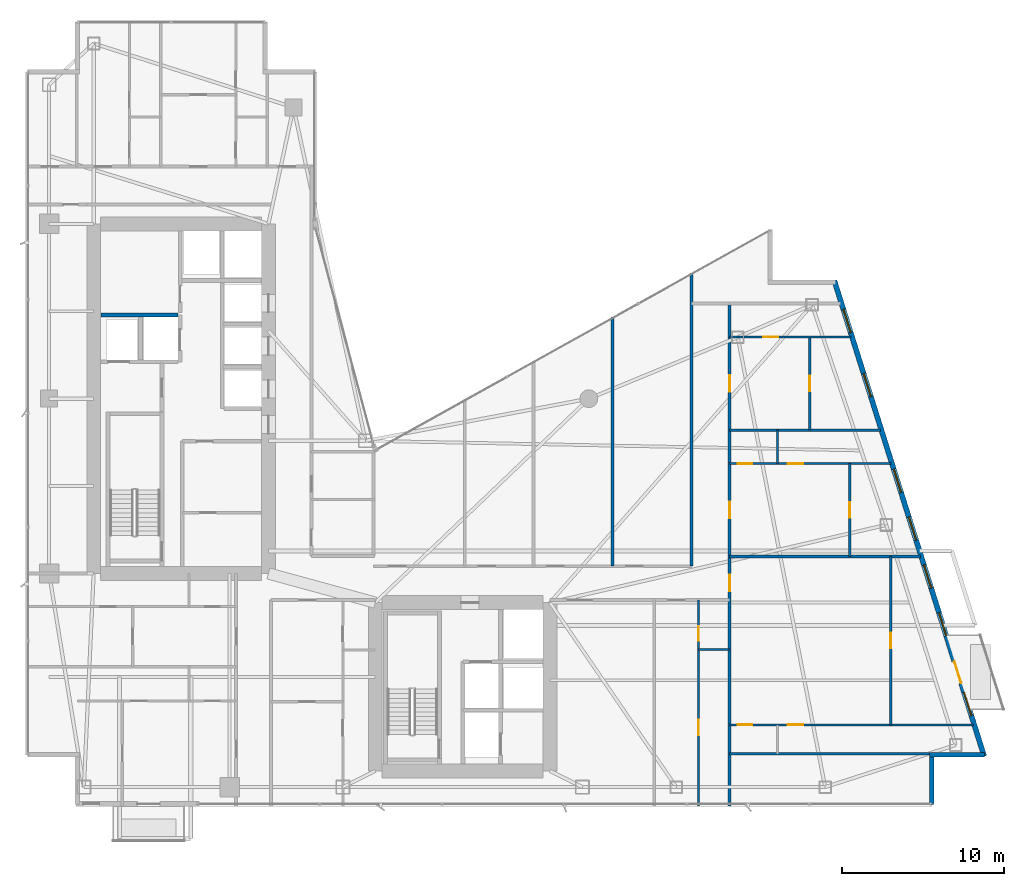
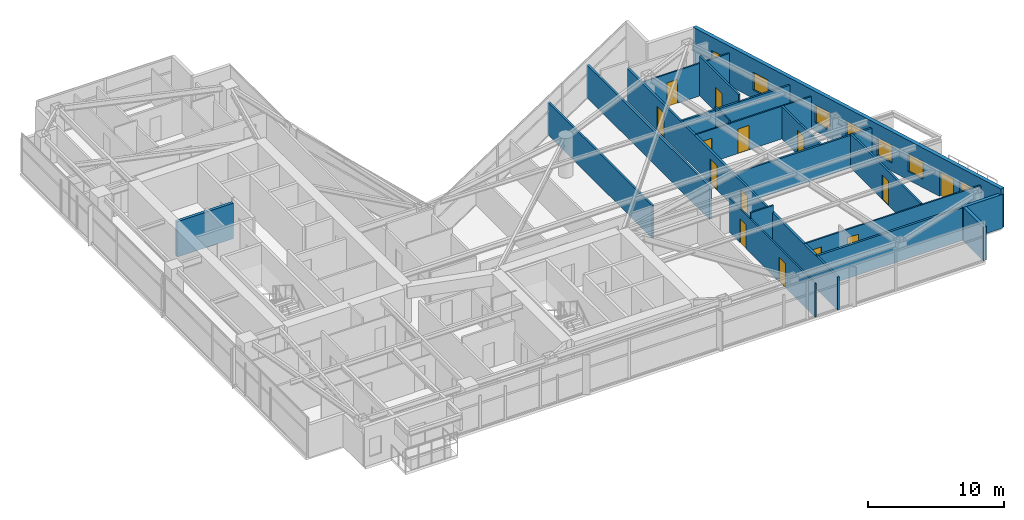
# One storey, part 24 of 29: 19 walls, 14 doors, 7 windows, 21 openings.
"""IFC4 building model written with IfcOpenShell, lengths in metres."""

from ifc_helpers import new_model, si_unit, direction, frame, frame_2d, origin, place, context, subcontext, project, spatial, rectangle, extrude, material, layer, layer_set, type_object, element, fill, save


model = new_model("IFC4")

# Units and contexts
model_context = context("Model", 3, precision=1e-05, world=origin(), true_north=direction((0.0, 1.0)))
body_context = subcontext(model_context, "Body", "Model", "MODEL_VIEW")
ifc_project = project(units=[si_unit("LENGTHUNIT", "METRE"), si_unit("AREAUNIT", "SQUARE_METRE"), si_unit("VOLUMEUNIT", "CUBIC_METRE"), si_unit("PLANEANGLEUNIT", "RADIAN"), si_unit("MASSUNIT", "GRAM", prefix="KILO")], contexts=[model_context])

# Site, building, storey
site_placement = place(None, origin())
site = spatial("IfcSite", under=ifc_project, at=site_placement, CompositionType="ELEMENT")
building_placement = place(site_placement, origin())
building = spatial("IfcBuilding", under=site, at=building_placement, Name="Calvorn Quay Hotel", CompositionType="ELEMENT")
storey_placement = place(building_placement, frame((0.0, 0.0, 148.5)))
storey = spatial("IfcBuildingStorey", under=building, at=storey_placement, Name="L36", CompositionType="ELEMENT", Elevation=148.5)

# Walls
ifc_material_1 = material(Name="Acoustic Fireboard Steel-Stud Partition", Category="steel")
ifc_layer_1 = layer(ifc_material_1, 0.179931640625)
ifc_layer_set_1 = layer_set([ifc_layer_1], Name="WL-CORR-FIRE-180")
wall_type_1 = type_object("IfcWallType", Name="WL-CORR-FIRE-180", PredefinedType="PARTITIONING", material=ifc_layer_set_1)
wall_1_placement = place(storey_placement, frame((41.14990234375, 17.25, 0.0), z_axis=(0.0, 0.0, 1.0), x_axis=(0.0, 1.0, 0.0)))
element("IfcWall", 1, at=wall_1_placement, inside=storey, type_object=wall_type_1, Name="Partition Wall L36-WL-NE-END-E", PredefinedType="PARTITIONING", context=body_context, shape_type="SweptSolid", body=[
    extrude(rectangle(XDim=18.1298828125, YDim=0.179931640625, at=frame_2d((9.06494140625, 0.0))), origin(), (0.0, 0.0, 1.0), 2.93994140625),
])
wall_2_placement = place(storey_placement, frame((43.5, 5.659912109375, 0.0), z_axis=(0.0, 0.0, 1.0), x_axis=(1.0, 0.0, 0.0)))
element("IfcWall", 2, at=wall_2_placement, inside=storey, type_object=wall_type_1, Name="Partition Wall L36-WL-TIP-S", PredefinedType="PARTITIONING", context=body_context, shape_type="SweptSolid", body=[
    extrude(rectangle(XDim=12.5, YDim=0.179931640625, at=frame_2d((6.25, 0.0))), origin(), (0.0, 0.0, 1.0), 2.93994140625),
])

# Wall, openings, doors
wall_3_placement = place(storey_placement, frame((43.5, 2.43994140625, 0.0), z_axis=(0.0, 0.0, 1.0), x_axis=(0.0, 1.0, 0.0)))
wall_3 = element("IfcWall", 3, at=wall_3_placement, inside=storey, type_object=wall_type_1, Name="Partition Wall L36-WL-CORR-TIP-E", PredefinedType="PARTITIONING", context=body_context, shape_type="SweptSolid", body=[
    extrude(rectangle(XDim=31.0400390625, YDim=0.179931640625, at=frame_2d((15.52001953125, 0.0))), origin(), (0.0, 0.0, 1.0), 2.93994140625),
])
opening_1_placement = place(wall_3_placement, frame((13.260009765625, 0.0, 0.0)))
opening_1 = element("IfcOpeningElement", 4, at=opening_1_placement, cuts=wall_3, Name="Opening D-L36-U07", PredefinedType="OPENING", context=body_context, shape_type="SweptSolid", body=[
    extrude(rectangle(XDim=1.02001953125, YDim=2.199951171875, at=frame_2d((0.510009765625, 1.10009765625))), frame((0.0, 0.099853515625, 0.0), z_axis=(0.0, -1.0, 0.0), x_axis=(1.0, 0.0, 0.0)), (0.0, 0.0, 1.0), 0.199951171875),
])
opening_2_placement = place(wall_3_placement, frame((17.77001953125, 0.0, 0.0)))
opening_2 = element("IfcOpeningElement", 5, at=opening_2_placement, cuts=wall_3, Name="Opening D-L36-U08", PredefinedType="OPENING", context=body_context, shape_type="SweptSolid", body=[
    extrude(rectangle(XDim=1.02001953125, YDim=2.199951171875, at=frame_2d((0.510009765625, 1.10009765625))), frame((0.0, 0.099853515625, 0.0), z_axis=(0.0, -1.0, 0.0), x_axis=(1.0, 0.0, 0.0)), (0.0, 0.0, 1.0), 0.199951171875),
])
opening_3_placement = place(wall_3_placement, frame((25.580078125, 0.0, 0.0)))
opening_3 = element("IfcOpeningElement", 6, at=opening_3_placement, cuts=wall_3, Name="Opening D-L36-U09", PredefinedType="OPENING", context=body_context, shape_type="SweptSolid", body=[
    extrude(rectangle(XDim=1.02001953125, YDim=2.199951171875, at=frame_2d((0.510009765625, 1.10009765625))), frame((0.0, 0.099853515625, 0.0), z_axis=(0.0, -1.0, 0.0), x_axis=(1.0, 0.0, 0.0)), (0.0, 0.0, 1.0), 0.199951171875),
])
ifc_material_2 = material(Name="Solid-Core Walnut Veneer Hotel Fire Door")
door_type_1 = type_object("IfcDoorType", Name="DR-GUEST-ENTRY-1020", OperationType="NOTDEFINED", PredefinedType="DOOR", material=ifc_material_2)
door_1_placement = place(opening_1_placement, origin())
door_1 = element("IfcDoor", 7, at=door_1_placement, inside=storey, type_object=door_type_1, Name="Terrace Suite Door U07 (L36)", OperationType="SINGLE_SWING_LEFT", OverallHeight=2.199951171875, OverallWidth=1.02001953125, PredefinedType="DOOR", context=body_context, shape_type="SweptSolid", body=[
    extrude(rectangle(XDim=1.02001953125, YDim=2.199951171875, at=frame_2d((0.510009765625, 1.10009765625))), frame((0.0, 0.02490234375, 0.0), z_axis=(0.0, -1.0, 0.0), x_axis=(1.0, 0.0, 0.0)), (0.0, 0.0, 1.0), 0.050048828125),
])
fill(opening_1, door_1)
door_2_placement = place(opening_2_placement, origin())
door_2 = element("IfcDoor", 8, at=door_2_placement, inside=storey, type_object=door_type_1, Name="Mid-East Suite Door U08 (L36)", OperationType="SINGLE_SWING_RIGHT", OverallHeight=2.199951171875, OverallWidth=1.02001953125, PredefinedType="DOOR", context=body_context, shape_type="SweptSolid", body=[
    extrude(rectangle(XDim=1.02001953125, YDim=2.199951171875, at=frame_2d((0.510009765625, 1.10009765625))), frame((0.0, 0.02490234375, 0.0), z_axis=(0.0, -1.0, 0.0), x_axis=(1.0, 0.0, 0.0)), (0.0, 0.0, 1.0), 0.050048828125),
])
fill(opening_2, door_2)
door_3_placement = place(opening_3_placement, origin())
door_3 = element("IfcDoor", 9, at=door_3_placement, inside=storey, type_object=door_type_1, Name="Horizon Suite Door U09 (L36)", OperationType="SINGLE_SWING_LEFT", OverallHeight=2.199951171875, OverallWidth=1.02001953125, PredefinedType="DOOR", context=body_context, shape_type="SweptSolid", body=[
    extrude(rectangle(XDim=1.02001953125, YDim=2.199951171875, at=frame_2d((0.510009765625, 1.10009765625))), frame((0.0, 0.02490234375, 0.0), z_axis=(0.0, -1.0, 0.0), x_axis=(1.0, 0.0, 0.0)), (0.0, 0.0, 1.0), 0.050048828125),
])
fill(opening_3, door_3)

# Wall
ifc_material_3 = material(Name="Moisture-Resistant Tile-Backed Partition")
ifc_layer_2 = layer(ifc_material_3, 0.125)
ifc_layer_set_2 = layer_set([ifc_layer_2], Name="WL-ENSUITE-125")
wall_type_2 = type_object("IfcWallType", Name="WL-ENSUITE-125", PredefinedType="PARTITIONING", material=ifc_layer_set_2)
wall_4_placement = place(storey_placement, frame((41.570068359375, 12.10009765625, 0.0), z_axis=(0.0, 0.0, 1.0), x_axis=(1.0, 0.0, 0.0)))
element("IfcWall", 10, at=wall_4_placement, inside=storey, type_object=wall_type_2, Name="Partition Wall L36-WL-U06-BDV", PredefinedType="PARTITIONING", context=body_context, shape_type="SweptSolid", body=[
    extrude(rectangle(XDim=1.929931640625, YDim=0.125, at=frame_2d((0.96484375, 0.0))), origin(), (0.0, 0.0, 1.0), 3.56005859375),
])

# Wall, openings, doors
wall_5_placement = place(storey_placement, frame((41.570068359375, 2.43994140625, 0.0), z_axis=(0.0, 0.0, 1.0), x_axis=(0.0, 1.0, 0.0)))
wall_5 = element("IfcWall", 11, at=wall_5_placement, inside=storey, type_object=wall_type_2, Name="Partition Wall L36-WL-U06-BV", PredefinedType="PARTITIONING", context=body_context, shape_type="SweptSolid", body=[
    extrude(rectangle(XDim=12.7099609375, YDim=0.125, at=frame_2d((6.35498046875, 0.0))), origin(), (0.0, 0.0, 1.0), 3.0400390625),
])
opening_4_placement = place(wall_5_placement, frame((4.35009765625, 0.0, 0.0)))
opening_4 = element("IfcOpeningElement", 12, at=opening_4_placement, cuts=wall_5, Name="Opening D-L36-S06", PredefinedType="OPENING", context=body_context, shape_type="SweptSolid", body=[
    extrude(rectangle(XDim=0.9599609375, YDim=2.199951171875, at=frame_2d((0.47998046875, 1.10009765625))), frame((0.0, 0.072509765625, 0.0), z_axis=(0.0, -1.0, 0.0), x_axis=(1.0, 0.0, 0.0)), (0.0, 0.0, 1.0), 0.14501953125),
])
opening_5_placement = place(wall_5_placement, frame((10.2099609375, 0.0, 0.0)))
opening_5 = element("IfcOpeningElement", 13, at=opening_5_placement, cuts=wall_5, Name="Opening D-L36-E06", PredefinedType="OPENING", context=body_context, shape_type="SweptSolid", body=[
    extrude(rectangle(XDim=0.89990234375, YDim=2.14990234375, at=frame_2d((0.449951171875, 1.074951171875))), frame((0.0, 0.072509765625, 0.0), z_axis=(0.0, -1.0, 0.0), x_axis=(1.0, 0.0, 0.0)), (0.0, 0.0, 1.0), 0.14501953125),
])
ifc_material_4 = material(Name="Moisture-Sealed Timber En-Suite Door", Category="wood")
door_type_2 = type_object("IfcDoorType", Name="DR-ENSUITE-900", OperationType="NOTDEFINED", PredefinedType="DOOR", material=ifc_material_4)
door_4_placement = place(opening_5_placement, origin())
door_4 = element("IfcDoor", 14, at=door_4_placement, inside=storey, type_object=door_type_2, Name="En-Suite Door 06", OperationType="SINGLE_SWING_RIGHT", OverallHeight=2.14990234375, OverallWidth=0.89990234375, PredefinedType="DOOR", context=body_context, shape_type="SweptSolid", body=[
    extrude(rectangle(XDim=0.89990234375, YDim=2.14990234375, at=frame_2d((0.449951171875, 1.074951171875))), frame((0.0, 0.02490234375, 0.0), z_axis=(0.0, -1.0, 0.0), x_axis=(1.0, 0.0, 0.0)), (0.0, 0.0, 1.0), 0.050048828125),
])
fill(opening_5, door_4)
ifc_material_5 = material(Name="Solid Timber Internal Suite Door", Category="wood")
door_type_3 = type_object("IfcDoorType", Name="DR-SUITE-INT-960", OperationType="NOTDEFINED", PredefinedType="DOOR", material=ifc_material_5)
door_5_placement = place(opening_4_placement, origin())
door_5 = element("IfcDoor", 15, at=door_5_placement, inside=storey, type_object=door_type_3, Name="Private Executive Study Door 06", OperationType="SINGLE_SWING_LEFT", OverallHeight=2.199951171875, OverallWidth=0.9599609375, PredefinedType="DOOR", context=body_context, shape_type="SweptSolid", body=[
    extrude(rectangle(XDim=0.9599609375, YDim=2.199951171875, at=frame_2d((0.47998046875, 1.10009765625))), frame((0.0, 0.02490234375, 0.0), z_axis=(0.0, -1.0, 0.0), x_axis=(1.0, 0.0, 0.0)), (0.0, 0.0, 1.0), 0.050048828125),
])
fill(opening_4, door_5)

wall_6_placement = place(storey_placement, frame((43.5, 7.449951171875, 0.0), z_axis=(0.0, 0.0, 1.0), x_axis=(1.0, 0.0, 0.0)))
wall_6 = element("IfcWall", 16, at=wall_6_placement, inside=storey, type_object=wall_type_2, Name="Partition Wall L36-WL-U07-BH", PredefinedType="PARTITIONING", context=body_context, shape_type="SweptSolid", body=[
    extrude(rectangle(XDim=15.06005859375, YDim=0.125, at=frame_2d((7.530029296875, 0.0))), origin(), (0.0, 0.0, 1.0), 2.93994140625),
])
opening_6_placement = place(wall_6_placement, frame((0.5, 0.0, 0.0)))
opening_6 = element("IfcOpeningElement", 17, at=opening_6_placement, cuts=wall_6, Name="Opening D-L36-E07", PredefinedType="OPENING", context=body_context, shape_type="SweptSolid", body=[
    extrude(rectangle(XDim=0.89990234375, YDim=2.14990234375, at=frame_2d((0.449951171875, 1.074951171875))), frame((0.0, 0.072509765625, 0.0), z_axis=(0.0, -1.0, 0.0), x_axis=(1.0, 0.0, 0.0)), (0.0, 0.0, 1.0), 0.14501953125),
])
opening_7_placement = place(wall_6_placement, frame((3.60009765625, 0.0, 0.0)))
opening_7 = element("IfcOpeningElement", 18, at=opening_7_placement, cuts=wall_6, Name="Opening D-L36-S07", PredefinedType="OPENING", context=body_context, shape_type="SweptSolid", body=[
    extrude(rectangle(XDim=0.9599609375, YDim=2.199951171875, at=frame_2d((0.47998046875, 1.10009765625))), frame((0.0, 0.072509765625, 0.0), z_axis=(0.0, -1.0, 0.0), x_axis=(1.0, 0.0, 0.0)), (0.0, 0.0, 1.0), 0.14501953125),
])
door_6_placement = place(opening_6_placement, origin())
door_6 = element("IfcDoor", 19, at=door_6_placement, inside=storey, type_object=door_type_2, Name="En-Suite Door 07", OperationType="SINGLE_SWING_LEFT", OverallHeight=2.14990234375, OverallWidth=0.89990234375, PredefinedType="DOOR", context=body_context, shape_type="SweptSolid", body=[
    extrude(rectangle(XDim=0.89990234375, YDim=2.14990234375, at=frame_2d((0.449951171875, 1.074951171875))), frame((0.0, 0.02490234375, 0.0), z_axis=(0.0, -1.0, 0.0), x_axis=(1.0, 0.0, 0.0)), (0.0, 0.0, 1.0), 0.050048828125),
])
fill(opening_6, door_6)
door_7_placement = place(opening_7_placement, origin())
door_7 = element("IfcDoor", 20, at=door_7_placement, inside=storey, type_object=door_type_3, Name="Private Executive Study Door 07", OperationType="SINGLE_SWING_RIGHT", OverallHeight=2.199951171875, OverallWidth=0.9599609375, PredefinedType="DOOR", context=body_context, shape_type="SweptSolid", body=[
    extrude(rectangle(XDim=0.9599609375, YDim=2.199951171875, at=frame_2d((0.47998046875, 1.10009765625))), frame((0.0, 0.02490234375, 0.0), z_axis=(0.0, -1.0, 0.0), x_axis=(1.0, 0.0, 0.0)), (0.0, 0.0, 1.0), 0.050048828125),
])
fill(opening_7, door_7)

# Wall
wall_7_placement = place(storey_placement, frame((46.449951171875, 23.590087890625, 0.0), z_axis=(0.0, 0.0, 1.0), x_axis=(0.0, 1.0, 0.0)))
element("IfcWall", 21, at=wall_7_placement, inside=storey, type_object=wall_type_2, Name="Partition Wall L36-WL-U08-BDV", PredefinedType="PARTITIONING", context=body_context, shape_type="SweptSolid", body=[
    extrude(rectangle(XDim=2.06982421875, YDim=0.125, at=frame_2d((1.034912109375, 0.0))), origin(), (0.0, 0.0, 1.0), 3.18994140625),
])

# Wall, openings, doors
wall_8_placement = place(storey_placement, frame((43.5, 23.590087890625, 0.0), z_axis=(0.0, 0.0, 1.0), x_axis=(1.0, 0.0, 0.0)))
wall_8 = element("IfcWall", 22, at=wall_8_placement, inside=storey, type_object=wall_type_2, Name="Partition Wall L36-WL-U08-BH", PredefinedType="PARTITIONING", context=body_context, shape_type="SweptSolid", body=[
    extrude(rectangle(XDim=9.969970703125, YDim=0.125, at=frame_2d((4.98486328125, 0.0))), origin(), (0.0, 0.0, 1.0), 2.93994140625),
])
opening_8_placement = place(wall_8_placement, frame((0.5, 0.0, 0.0)))
opening_8 = element("IfcOpeningElement", 23, at=opening_8_placement, cuts=wall_8, Name="Opening D-L36-E08", PredefinedType="OPENING", context=body_context, shape_type="SweptSolid", body=[
    extrude(rectangle(XDim=0.89990234375, YDim=2.14990234375, at=frame_2d((0.449951171875, 1.074951171875))), frame((0.0, 0.072509765625, 0.0), z_axis=(0.0, -1.0, 0.0), x_axis=(1.0, 0.0, 0.0)), (0.0, 0.0, 1.0), 0.14501953125),
])
opening_9_placement = place(wall_8_placement, frame((3.60009765625, 0.0, 0.0)))
opening_9 = element("IfcOpeningElement", 24, at=opening_9_placement, cuts=wall_8, Name="Opening D-L36-S08", PredefinedType="OPENING", context=body_context, shape_type="SweptSolid", body=[
    extrude(rectangle(XDim=0.9599609375, YDim=2.199951171875, at=frame_2d((0.47998046875, 1.10009765625))), frame((0.0, 0.072509765625, 0.0), z_axis=(0.0, -1.0, 0.0), x_axis=(1.0, 0.0, 0.0)), (0.0, 0.0, 1.0), 0.14501953125),
])
door_8_placement = place(opening_8_placement, origin())
door_8 = element("IfcDoor", 25, at=door_8_placement, inside=storey, type_object=door_type_2, Name="En-Suite Door 08", OperationType="SINGLE_SWING_LEFT", OverallHeight=2.14990234375, OverallWidth=0.89990234375, PredefinedType="DOOR", context=body_context, shape_type="SweptSolid", body=[
    extrude(rectangle(XDim=0.89990234375, YDim=2.14990234375, at=frame_2d((0.449951171875, 1.074951171875))), frame((0.0, 0.02490234375, 0.0), z_axis=(0.0, -1.0, 0.0), x_axis=(1.0, 0.0, 0.0)), (0.0, 0.0, 1.0), 0.050048828125),
])
fill(opening_8, door_8)
door_9_placement = place(opening_9_placement, origin())
door_9 = element("IfcDoor", 26, at=door_9_placement, inside=storey, type_object=door_type_3, Name="Private Executive Study Door 08", OperationType="SINGLE_SWING_RIGHT", OverallHeight=2.199951171875, OverallWidth=0.9599609375, PredefinedType="DOOR", context=body_context, shape_type="SweptSolid", body=[
    extrude(rectangle(XDim=0.9599609375, YDim=2.199951171875, at=frame_2d((0.47998046875, 1.10009765625))), frame((0.0, 0.02490234375, 0.0), z_axis=(0.0, -1.0, 0.0), x_axis=(1.0, 0.0, 0.0)), (0.0, 0.0, 1.0), 0.050048828125),
])
fill(opening_9, door_9)

# Wall, opening, door
wall_9_placement = place(storey_placement, frame((43.5, 31.409912109375, 0.0), z_axis=(0.0, 0.0, 1.0), x_axis=(1.0, 0.0, 0.0)))
wall_9 = element("IfcWall", 27, at=wall_9_placement, inside=storey, type_object=wall_type_2, Name="Partition Wall L36-WL-U09-BH", PredefinedType="PARTITIONING", context=body_context, shape_type="SweptSolid", body=[
    extrude(rectangle(XDim=7.510009765625, YDim=0.125, at=frame_2d((3.7548828125, 0.0))), origin(), (0.0, 0.0, 1.0), 2.93994140625),
])
opening_10_placement = place(wall_9_placement, frame((2.090087890625, 0.0, 0.0)))
opening_10 = element("IfcOpeningElement", 28, at=opening_10_placement, cuts=wall_9, Name="Opening D-L36-E09", PredefinedType="OPENING", context=body_context, shape_type="SweptSolid", body=[
    extrude(rectangle(XDim=0.89990234375, YDim=2.14990234375, at=frame_2d((0.449951171875, 1.074951171875))), frame((0.0, 0.072509765625, 0.0), z_axis=(0.0, -1.0, 0.0), x_axis=(1.0, 0.0, 0.0)), (0.0, 0.0, 1.0), 0.14501953125),
])
door_10_placement = place(opening_10_placement, origin())
door_10 = element("IfcDoor", 29, at=door_10_placement, inside=storey, type_object=door_type_2, Name="En-Suite Door 09", OperationType="SINGLE_SWING_LEFT", OverallHeight=2.14990234375, OverallWidth=0.89990234375, PredefinedType="DOOR", context=body_context, shape_type="SweptSolid", body=[
    extrude(rectangle(XDim=0.89990234375, YDim=2.14990234375, at=frame_2d((0.449951171875, 1.074951171875))), frame((0.0, 0.02490234375, 0.0), z_axis=(0.0, -1.0, 0.0), x_axis=(1.0, 0.0, 0.0)), (0.0, 0.0, 1.0), 0.050048828125),
])
fill(opening_10, door_10)

# Walls
ifc_material_6 = material(Name="Concrete C40", Category="concrete")
ifc_layer_3 = layer(ifc_material_6, 0.320068359375)
ifc_layer_set_3 = layer_set([ifc_layer_3], Name="WL-EXT-SPANDREL-320")
wall_type_3 = type_object("IfcWallType", Name="WL-EXT-SPANDREL-320", PredefinedType="SOLIDWALL", material=ifc_layer_set_3)
wall_10_placement = place(storey_placement, frame((56.0, 2.52001953125, 0.0), z_axis=(0.0, 0.0, 1.0), x_axis=(0.0, 1.0, 0.0)))
element("IfcWall", 30, at=wall_10_placement, inside=storey, type_object=wall_type_3, Name="Notched Corner Spandrel L36-SE1", PredefinedType="SOLIDWALL", context=body_context, shape_type="SweptSolid", body=[
    extrude(rectangle(XDim=2.93994140625, YDim=0.280029296875, at=frame_2d((1.469970703125, 0.0))), origin(), (0.0, 0.0, 1.0), 3.0400390625),
])
wall_11_placement = place(storey_placement, frame((55.860107421875, 5.60009765625, 0.0), z_axis=(0.0, 0.0, 1.0), x_axis=(1.0, 0.0, 0.0)))
element("IfcWall", 31, at=wall_11_placement, inside=storey, type_object=wall_type_3, Name="Notched Corner Spandrel L36-SE2", PredefinedType="SOLIDWALL", context=body_context, shape_type="SweptSolid", body=[
    extrude(rectangle(XDim=3.3798828125, YDim=0.280029296875, at=frame_2d((1.68994140625, 0.0))), origin(), (0.0, 0.0, 1.0), 3.0400390625),
])

# Wall, openings, door, windows
wall_12_placement = place(storey_placement, frame((59.22998046875, 5.5048828125, 0.0), z_axis=(0.0, 0.0, 1.0), x_axis=(-0.300509063924, 0.953778958931, 0.0)))
wall_12 = element("IfcWall", 32, at=wall_12_placement, inside=storey, type_object=wall_type_3, Name="East Stepped Waterfront Exterior Wall (L36)", PredefinedType="SOLIDWALL", context=body_context, shape_type="SweptSolid", body=[
    extrude(rectangle(XDim=30.814453125, YDim=0.320068359375, at=frame_2d((15.4072265625, 0.0))), origin(), (0.0, 0.0, 1.0), 3.56005859375),
])
opening_11_placement = place(wall_12_placement, frame((4.7470703125, 0.0, 0.0)))
opening_11 = element("IfcOpeningElement", 33, at=opening_11_placement, cuts=wall_12, Name="Opening DB-L36-1", PredefinedType="OPENING", context=body_context, shape_type="SweptSolid", body=[
    extrude(rectangle(XDim=1.39990234375, YDim=2.25, at=frame_2d((0.699951171875, 1.125))), frame((0.0, 0.169921875, 0.0), z_axis=(0.0, -1.0, 0.0), x_axis=(1.0, 0.0, 0.0)), (0.0, 0.0, 1.0), 0.340087890625),
])
opening_12_placement = place(wall_12_placement, frame((2.64990234375, 0.0, 0.75)))
opening_12 = element("IfcOpeningElement", 34, at=opening_12_placement, cuts=wall_12, Name="Opening WG-L36-E1", PredefinedType="OPENING", context=body_context, shape_type="SweptSolid", body=[
    extrude(rectangle(XDim=1.5, YDim=1.60009765625, at=frame_2d((0.75, 0.800048828125))), frame((0.0, 0.169921875, 0.0), z_axis=(0.0, -1.0, 0.0), x_axis=(1.0, 0.0, 0.0)), (0.0, 0.0, 1.0), 0.340087890625),
])
opening_13_placement = place(wall_12_placement, frame((7.800048828125, 0.0, 0.75)))
opening_13 = element("IfcOpeningElement", 35, at=opening_13_placement, cuts=wall_12, Name="Opening WG-L36-E2", PredefinedType="OPENING", context=body_context, shape_type="SweptSolid", body=[
    extrude(rectangle(XDim=1.5, YDim=1.60009765625, at=frame_2d((0.75, 0.800048828125))), frame((0.0, 0.169921875, 0.0), z_axis=(0.0, -1.0, 0.0), x_axis=(1.0, 0.0, 0.0)), (0.0, 0.0, 1.0), 0.340087890625),
])
opening_14_placement = place(wall_12_placement, frame((10.89990234375, 0.0, 0.75)))
opening_14 = element("IfcOpeningElement", 36, at=opening_14_placement, cuts=wall_12, Name="Opening WG-L36-E3", PredefinedType="OPENING", context=body_context, shape_type="SweptSolid", body=[
    extrude(rectangle(XDim=1.5, YDim=1.60009765625, at=frame_2d((0.75, 0.800048828125))), frame((0.0, 0.169921875, 0.0), z_axis=(0.0, -1.0, 0.0), x_axis=(1.0, 0.0, 0.0)), (0.0, 0.0, 1.0), 0.340087890625),
])
opening_15_placement = place(wall_12_placement, frame((14.0, 0.0, 0.75)))
opening_15 = element("IfcOpeningElement", 37, at=opening_15_placement, cuts=wall_12, Name="Opening WG-L36-E4", PredefinedType="OPENING", context=body_context, shape_type="SweptSolid", body=[
    extrude(rectangle(XDim=1.5, YDim=1.60009765625, at=frame_2d((0.75, 0.800048828125))), frame((0.0, 0.169921875, 0.0), z_axis=(0.0, -1.0, 0.0), x_axis=(1.0, 0.0, 0.0)), (0.0, 0.0, 1.0), 0.340087890625),
])
opening_16_placement = place(wall_12_placement, frame((17.10009765625, 0.0, 0.75)))
opening_16 = element("IfcOpeningElement", 38, at=opening_16_placement, cuts=wall_12, Name="Opening WG-L36-E5", PredefinedType="OPENING", context=body_context, shape_type="SweptSolid", body=[
    extrude(rectangle(XDim=1.5, YDim=1.60009765625, at=frame_2d((0.75, 0.800048828125))), frame((0.0, 0.169921875, 0.0), z_axis=(0.0, -1.0, 0.0), x_axis=(1.0, 0.0, 0.0)), (0.0, 0.0, 1.0), 0.340087890625),
])
opening_17_placement = place(wall_12_placement, frame((23.300048828125, 0.0, 0.75)))
opening_17 = element("IfcOpeningElement", 39, at=opening_17_placement, cuts=wall_12, Name="Opening WG-L36-E6", PredefinedType="OPENING", context=body_context, shape_type="SweptSolid", body=[
    extrude(rectangle(XDim=1.5, YDim=1.60009765625, at=frame_2d((0.75, 0.800048828125))), frame((0.0, 0.169921875, 0.0), z_axis=(0.0, -1.0, 0.0), x_axis=(1.0, 0.0, 0.0)), (0.0, 0.0, 1.0), 0.340087890625),
])
opening_18_placement = place(wall_12_placement, frame((27.449951171875, 0.0, 0.75)))
opening_18 = element("IfcOpeningElement", 40, at=opening_18_placement, cuts=wall_12, Name="Opening WG-L36-E7", PredefinedType="OPENING", context=body_context, shape_type="SweptSolid", body=[
    extrude(rectangle(XDim=1.5, YDim=1.60009765625, at=frame_2d((0.75, 0.800048828125))), frame((0.0, 0.169921875, 0.0), z_axis=(0.0, -1.0, 0.0), x_axis=(1.0, 0.0, 0.0)), (0.0, 0.0, 1.0), 0.340087890625),
])
ifc_material_7 = material(Name="Typhoon-Rated Low-E Aluminium Terrace Door", Category="aluminium")
door_type_4 = type_object("IfcDoorType", Name="DR-BALCONY-GLZ-1400", OperationType="NOTDEFINED", PredefinedType="DOOR", material=ifc_material_7)
door_11_placement = place(opening_11_placement, origin())
door_11 = element("IfcDoor", 41, at=door_11_placement, inside=storey, type_object=door_type_4, Name="Tree Balcony Terrace Door L36-BALC-E", OperationType="SINGLE_SWING_LEFT", OverallHeight=2.25, OverallWidth=1.39990234375, PredefinedType="DOOR", context=body_context, shape_type="SweptSolid", body=[
    extrude(rectangle(XDim=1.39990234375, YDim=2.25, at=frame_2d((0.699951171875, 1.125))), frame((0.0, 0.02490234375, 0.0), z_axis=(0.0, -1.0, 0.0), x_axis=(1.0, 0.0, 0.0)), (0.0, 0.0, 1.0), 0.050048828125),
])
fill(opening_11, door_11)
ifc_material_8 = material(Name="Self-Closing Class B Fire Window")
window_type = type_object("IfcWindowType", Name="WIN-REFUGE-1500x1600", PartitioningType="SINGLE_PANEL", PredefinedType="WINDOW", material=ifc_material_8)
window_1_placement = place(opening_12_placement, origin())
window_1 = element("IfcWindow", 42, at=window_1_placement, inside=storey, type_object=window_type, Name="East Facade Window L36-E1", OverallHeight=1.60009765625, OverallWidth=1.5, PartitioningType="SINGLE_PANEL", PredefinedType="WINDOW", context=body_context, shape_type="SweptSolid", body=[
    extrude(rectangle(XDim=1.5, YDim=1.60009765625, at=frame_2d((0.75, 0.800048828125))), frame((0.0, 0.030029296875, 0.0), z_axis=(0.0, -1.0, 0.0), x_axis=(1.0, 0.0, 0.0)), (0.0, 0.0, 1.0), 0.06005859375),
])
fill(opening_12, window_1)
window_2_placement = place(opening_13_placement, origin())
window_2 = element("IfcWindow", 43, at=window_2_placement, inside=storey, type_object=window_type, Name="East Facade Window L36-E2", OverallHeight=1.60009765625, OverallWidth=1.5, PartitioningType="SINGLE_PANEL", PredefinedType="WINDOW", context=body_context, shape_type="SweptSolid", body=[
    extrude(rectangle(XDim=1.5, YDim=1.60009765625, at=frame_2d((0.75, 0.800048828125))), frame((0.0, 0.030029296875, 0.0), z_axis=(0.0, -1.0, 0.0), x_axis=(1.0, 0.0, 0.0)), (0.0, 0.0, 1.0), 0.06005859375),
])
fill(opening_13, window_2)
window_3_placement = place(opening_14_placement, origin())
window_3 = element("IfcWindow", 44, at=window_3_placement, inside=storey, type_object=window_type, Name="East Facade Window L36-E3", OverallHeight=1.60009765625, OverallWidth=1.5, PartitioningType="SINGLE_PANEL", PredefinedType="WINDOW", context=body_context, shape_type="SweptSolid", body=[
    extrude(rectangle(XDim=1.5, YDim=1.60009765625, at=frame_2d((0.75, 0.800048828125))), frame((0.0, 0.030029296875, 0.0), z_axis=(0.0, -1.0, 0.0), x_axis=(1.0, 0.0, 0.0)), (0.0, 0.0, 1.0), 0.06005859375),
])
fill(opening_14, window_3)
window_4_placement = place(opening_15_placement, origin())
window_4 = element("IfcWindow", 45, at=window_4_placement, inside=storey, type_object=window_type, Name="East Facade Window L36-E4", OverallHeight=1.60009765625, OverallWidth=1.5, PartitioningType="SINGLE_PANEL", PredefinedType="WINDOW", context=body_context, shape_type="SweptSolid", body=[
    extrude(rectangle(XDim=1.5, YDim=1.60009765625, at=frame_2d((0.75, 0.800048828125))), frame((0.0, 0.030029296875, 0.0), z_axis=(0.0, -1.0, 0.0), x_axis=(1.0, 0.0, 0.0)), (0.0, 0.0, 1.0), 0.06005859375),
])
fill(opening_15, window_4)
window_5_placement = place(opening_16_placement, origin())
window_5 = element("IfcWindow", 46, at=window_5_placement, inside=storey, type_object=window_type, Name="East Facade Window L36-E5", OverallHeight=1.60009765625, OverallWidth=1.5, PartitioningType="SINGLE_PANEL", PredefinedType="WINDOW", context=body_context, shape_type="SweptSolid", body=[
    extrude(rectangle(XDim=1.5, YDim=1.60009765625, at=frame_2d((0.75, 0.800048828125))), frame((0.0, 0.030029296875, 0.0), z_axis=(0.0, -1.0, 0.0), x_axis=(1.0, 0.0, 0.0)), (0.0, 0.0, 1.0), 0.06005859375),
])
fill(opening_16, window_5)
window_6_placement = place(opening_17_placement, origin())
window_6 = element("IfcWindow", 47, at=window_6_placement, inside=storey, type_object=window_type, Name="East Facade Window L36-E6", OverallHeight=1.60009765625, OverallWidth=1.5, PartitioningType="SINGLE_PANEL", PredefinedType="WINDOW", context=body_context, shape_type="SweptSolid", body=[
    extrude(rectangle(XDim=1.5, YDim=1.60009765625, at=frame_2d((0.75, 0.800048828125))), frame((0.0, 0.030029296875, 0.0), z_axis=(0.0, -1.0, 0.0), x_axis=(1.0, 0.0, 0.0)), (0.0, 0.0, 1.0), 0.06005859375),
])
fill(opening_17, window_6)
window_7_placement = place(opening_18_placement, origin())
window_7 = element("IfcWindow", 48, at=window_7_placement, inside=storey, type_object=window_type, Name="East Facade Window L36-E7", OverallHeight=1.60009765625, OverallWidth=1.5, PartitioningType="SINGLE_PANEL", PredefinedType="WINDOW", context=body_context, shape_type="SweptSolid", body=[
    extrude(rectangle(XDim=1.5, YDim=1.60009765625, at=frame_2d((0.75, 0.800048828125))), frame((0.0, 0.030029296875, 0.0), z_axis=(0.0, -1.0, 0.0), x_axis=(1.0, 0.0, 0.0)), (0.0, 0.0, 1.0), 0.06005859375),
])
fill(opening_18, window_7)

# Wall
ifc_material_9 = material(Name="Double-Stud Acoustic Gypsum Partition")
ifc_layer_4 = layer(ifc_material_9, 0.159912109375)
ifc_layer_set_4 = layer_set([ifc_layer_4], Name="WL-INTERSUITE-160")
wall_type_4 = type_object("IfcWallType", Name="WL-INTERSUITE-160", PredefinedType="PARTITIONING", material=ifc_layer_set_4)
wall_13_placement = place(storey_placement, frame((36.260009765625, 17.25, 0.0), z_axis=(0.0, 0.0, 1.0), x_axis=(0.0, 1.0, 0.0)))
element("IfcWall", 49, at=wall_13_placement, inside=storey, type_object=wall_type_4, Name="Partition Wall L36-WL-NE-DIV-3", PredefinedType="PARTITIONING", context=body_context, shape_type="SweptSolid", body=[
    extrude(rectangle(XDim=15.39990234375, YDim=0.159912109375, at=frame_2d((7.699951171875, 0.0))), origin(), (0.0, 0.0, 1.0), 2.93994140625),
])

# Wall, opening, door
wall_14_placement = place(storey_placement, frame((53.4599609375, 7.449951171875, 0.0), z_axis=(0.0, 0.0, 1.0), x_axis=(0.0, 1.0, 0.0)))
wall_14 = element("IfcWall", 50, at=wall_14_placement, inside=storey, type_object=wall_type_4, Name="Partition Wall L36-WL-U07-MSP", PredefinedType="PARTITIONING", context=body_context, shape_type="SweptSolid", body=[
    extrude(rectangle(XDim=10.400146484375, YDim=0.159912109375, at=frame_2d((5.2001953125, 0.0))), origin(), (0.0, 0.0, 1.0), 3.0400390625),
])
opening_19_placement = place(wall_14_placement, frame((4.719970703125, 0.0, 0.0)))
opening_19 = element("IfcOpeningElement", 51, at=opening_19_placement, cuts=wall_14, Name="Opening D-L36-M07", PredefinedType="OPENING", context=body_context, shape_type="SweptSolid", body=[
    extrude(rectangle(XDim=0.9599609375, YDim=2.199951171875, at=frame_2d((0.47998046875, 1.10009765625))), frame((0.0, 0.08984375, 0.0), z_axis=(0.0, -1.0, 0.0), x_axis=(1.0, 0.0, 0.0)), (0.0, 0.0, 1.0), 0.179931640625),
])
door_12_placement = place(opening_19_placement, origin())
door_12 = element("IfcDoor", 52, at=door_12_placement, inside=storey, type_object=door_type_3, Name="Suite Bedroom Door 07", OperationType="SINGLE_SWING_LEFT", OverallHeight=2.199951171875, OverallWidth=0.9599609375, PredefinedType="DOOR", context=body_context, shape_type="SweptSolid", body=[
    extrude(rectangle(XDim=0.9599609375, YDim=2.199951171875, at=frame_2d((0.47998046875, 1.10009765625))), frame((0.0, 0.02490234375, 0.0), z_axis=(0.0, -1.0, 0.0), x_axis=(1.0, 0.0, 0.0)), (0.0, 0.0, 1.0), 0.050048828125),
])
fill(opening_19, door_12)

wall_15_placement = place(storey_placement, frame((50.919921875, 17.85009765625, 0.0), z_axis=(0.0, 0.0, 1.0), x_axis=(0.0, 1.0, 0.0)))
wall_15 = element("IfcWall", 53, at=wall_15_placement, inside=storey, type_object=wall_type_4, Name="Partition Wall L36-WL-U08-MSP", PredefinedType="PARTITIONING", context=body_context, shape_type="SweptSolid", body=[
    extrude(rectangle(XDim=5.739990234375, YDim=0.159912109375, at=frame_2d((2.8701171875, 0.0))), origin(), (0.0, 0.0, 1.0), 2.93994140625),
])
opening_20_placement = place(wall_15_placement, frame((2.389892578125, 0.0, 0.0)))
opening_20 = element("IfcOpeningElement", 54, at=opening_20_placement, cuts=wall_15, Name="Opening D-L36-M08", PredefinedType="OPENING", context=body_context, shape_type="SweptSolid", body=[
    extrude(rectangle(XDim=0.9599609375, YDim=2.199951171875, at=frame_2d((0.47998046875, 1.10009765625))), frame((0.0, 0.08984375, 0.0), z_axis=(0.0, -1.0, 0.0), x_axis=(1.0, 0.0, 0.0)), (0.0, 0.0, 1.0), 0.179931640625),
])
door_13_placement = place(opening_20_placement, origin())
door_13 = element("IfcDoor", 55, at=door_13_placement, inside=storey, type_object=door_type_3, Name="Suite Bedroom Door 08", OperationType="SINGLE_SWING_LEFT", OverallHeight=2.199951171875, OverallWidth=0.9599609375, PredefinedType="DOOR", context=body_context, shape_type="SweptSolid", body=[
    extrude(rectangle(XDim=0.9599609375, YDim=2.199951171875, at=frame_2d((0.47998046875, 1.10009765625))), frame((0.0, 0.02490234375, 0.0), z_axis=(0.0, -1.0, 0.0), x_axis=(1.0, 0.0, 0.0)), (0.0, 0.0, 1.0), 0.050048828125),
])
fill(opening_20, door_13)

wall_16_placement = place(storey_placement, frame((48.449951171875, 25.659912109375, 0.0), z_axis=(0.0, 0.0, 1.0), x_axis=(0.0, 1.0, 0.0)))
wall_16 = element("IfcWall", 56, at=wall_16_placement, inside=storey, type_object=wall_type_4, Name="Partition Wall L36-WL-U09-MSP", PredefinedType="PARTITIONING", context=body_context, shape_type="SweptSolid", body=[
    extrude(rectangle(XDim=5.75, YDim=0.159912109375, at=frame_2d((2.875, 0.0))), origin(), (0.0, 0.0, 1.0), 3.56005859375),
])
opening_21_placement = place(wall_16_placement, frame((2.39990234375, 0.0, 0.0)))
opening_21 = element("IfcOpeningElement", 57, at=opening_21_placement, cuts=wall_16, Name="Opening D-L36-M09", PredefinedType="OPENING", context=body_context, shape_type="SweptSolid", body=[
    extrude(rectangle(XDim=0.9599609375, YDim=2.199951171875, at=frame_2d((0.47998046875, 1.10009765625))), frame((0.0, 0.08984375, 0.0), z_axis=(0.0, -1.0, 0.0), x_axis=(1.0, 0.0, 0.0)), (0.0, 0.0, 1.0), 0.179931640625),
])
door_14_placement = place(opening_21_placement, origin())
door_14 = element("IfcDoor", 58, at=door_14_placement, inside=storey, type_object=door_type_3, Name="Suite Bedroom Door 09", OperationType="SINGLE_SWING_LEFT", OverallHeight=2.199951171875, OverallWidth=0.9599609375, PredefinedType="DOOR", context=body_context, shape_type="SweptSolid", body=[
    extrude(rectangle(XDim=0.9599609375, YDim=2.199951171875, at=frame_2d((0.47998046875, 1.10009765625))), frame((0.0, 0.02490234375, 0.0), z_axis=(0.0, -1.0, 0.0), x_axis=(1.0, 0.0, 0.0)), (0.0, 0.0, 1.0), 0.050048828125),
])
fill(opening_21, door_14)

# Walls
wall_17_placement = place(storey_placement, frame((43.5, 25.659912109375, 0.0), z_axis=(0.0, 0.0, 1.0), x_axis=(1.0, 0.0, 0.0)))
element("IfcWall", 59, at=wall_17_placement, inside=storey, type_object=wall_type_4, Name="Partition Wall L36-WL-TIP-DIV2", PredefinedType="PARTITIONING", context=body_context, shape_type="SweptSolid", body=[
    extrude(rectangle(XDim=9.320068359375, YDim=0.159912109375, at=frame_2d((4.66015625, 0.0))), origin(), (0.0, 0.0, 1.0), 2.93994140625),
])
wall_18_placement = place(storey_placement, frame((43.5, 17.85009765625, 0.0), z_axis=(0.0, 0.0, 1.0), x_axis=(1.0, 0.0, 0.0)))
element("IfcWall", 60, at=wall_18_placement, inside=storey, type_object=wall_type_4, Name="Partition Wall L36-WL-TIP-DIV", PredefinedType="PARTITIONING", context=body_context, shape_type="SweptSolid", body=[
    extrude(rectangle(XDim=11.780029296875, YDim=0.159912109375, at=frame_2d((5.89013671875, 0.0))), origin(), (0.0, 0.0, 1.0), 2.93994140625),
])
ifc_material_10 = material(Name="Concrete C40", Category="concrete")
ifc_layer_5 = layer(ifc_material_10, 0.239990234375)
ifc_layer_set_5 = layer_set([ifc_layer_5], Name="WL-SHAFT-240")
wall_type_5 = type_object("IfcWallType", Name="WL-SHAFT-240", PredefinedType="SOLIDWALL", material=ifc_layer_set_5)
wall_19_placement = place(storey_placement, frame((4.64501953125, 32.780029296875, 0.0), z_axis=(0.0, 0.0, 1.0), x_axis=(1.0, 0.0, 0.0)))
element("IfcWall", 61, at=wall_19_placement, inside=storey, type_object=wall_type_5, Name="Partition Wall L36-WL-CWW-SLW-N", PredefinedType="SOLIDWALL", context=body_context, shape_type="SweptSolid", body=[
    extrude(rectangle(XDim=4.77490234375, YDim=0.239990234375, at=frame_2d((2.387451171875, 0.0))), origin(), (0.0, 0.0, 1.0), 3.18994140625),
])

save(model, "model.ifc")
